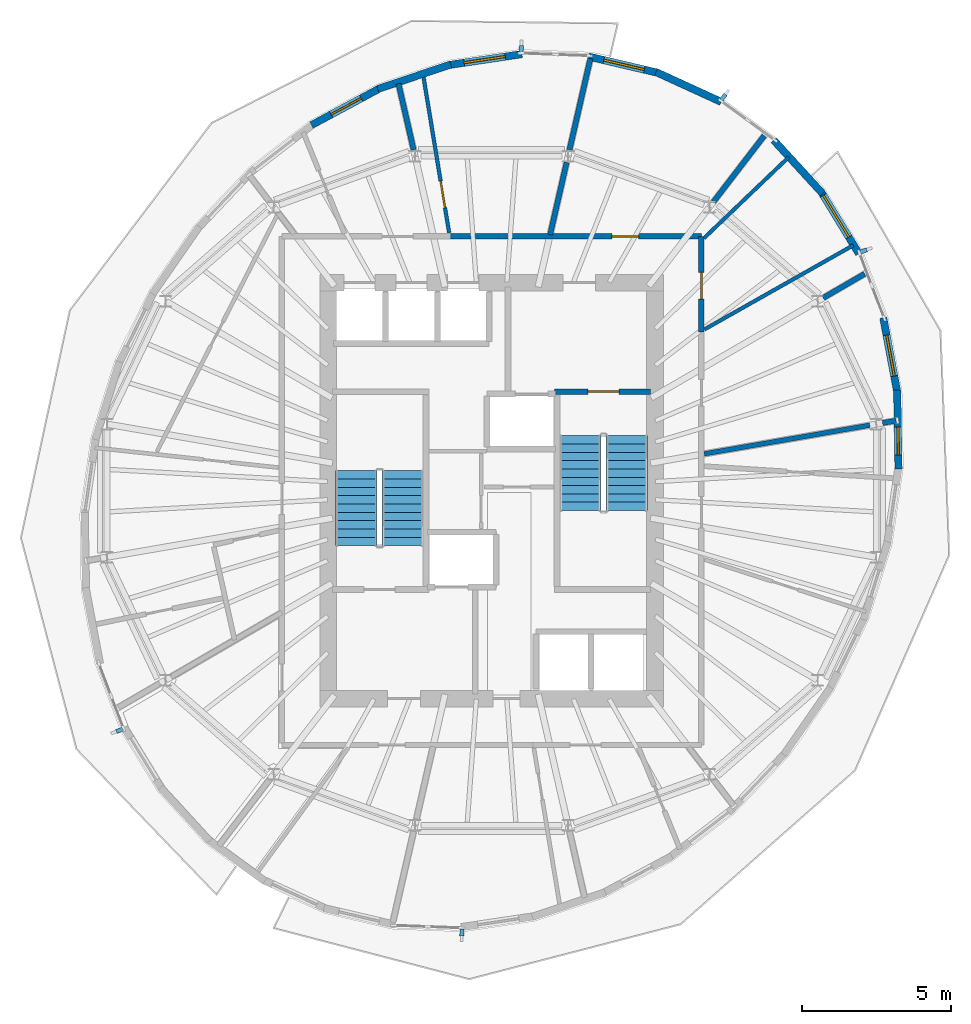
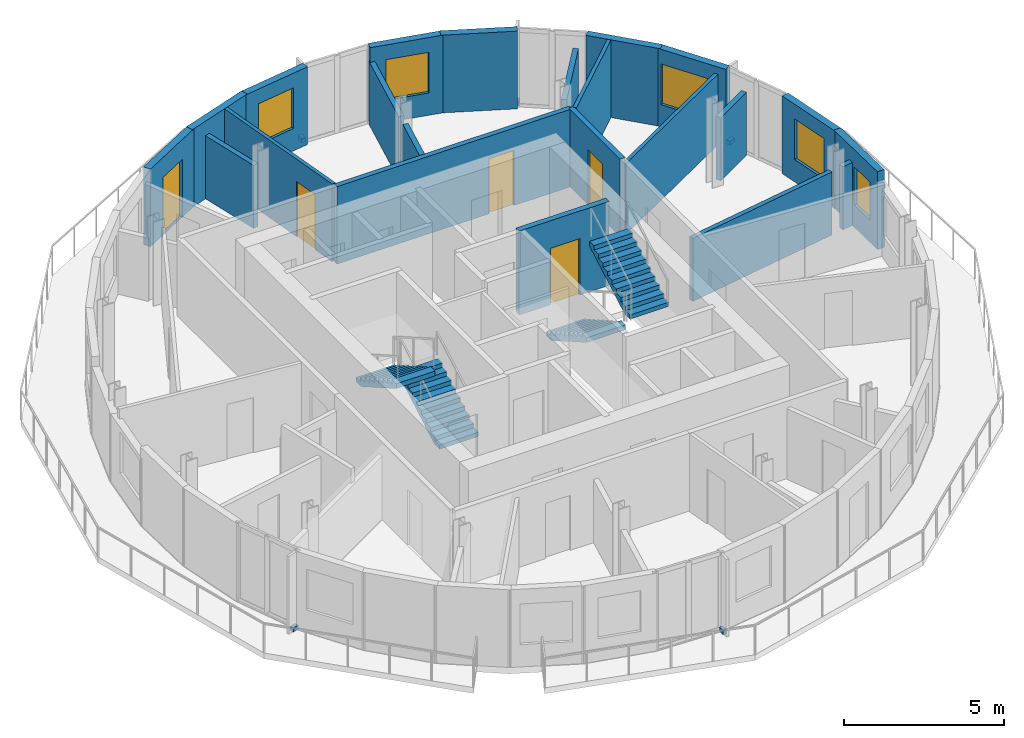
# One storey, part 7 of 11: 22 walls, 5 discrete accessories, 5 doors, 5 windows, 4 stair flights, 10 openings, 2 elements without a shape of their own.
"""IFC4 building model written with IfcOpenShell, lengths in metres."""

from ifc_helpers import new_model, si_unit, direction, frame, frame_2d, origin, origin_2d, place, context, subcontext, project, spatial, polyline, rectangle, outline, extrude, material, layer, layer_set, type_object, element, fill, aggregate, save


model = new_model("IFC4")

# Units and contexts
model_context = context("Model", 3, precision=1e-05, world=origin(), true_north=direction((0.0, 1.0)))
body_context = subcontext(model_context, "Body", "Model", "MODEL_VIEW")
ifc_project = project(units=[si_unit("LENGTHUNIT", "METRE"), si_unit("AREAUNIT", "SQUARE_METRE"), si_unit("VOLUMEUNIT", "CUBIC_METRE"), si_unit("PLANEANGLEUNIT", "RADIAN"), si_unit("MASSUNIT", "GRAM", prefix="KILO")], contexts=[model_context])

# Site, building, storey
site_placement = place(None, origin())
site = spatial("IfcSite", under=ifc_project, at=site_placement, CompositionType="ELEMENT")
building_placement = place(site_placement, origin())
building = spatial("IfcBuilding", under=site, at=building_placement, Name="Veldorim Arch Residences", CompositionType="ELEMENT")
storey_placement = place(building_placement, frame((0.0, 0.0, 236.639892578125)))
storey = spatial("IfcBuildingStorey", under=building, at=storey_placement, Name="L71", CompositionType="ELEMENT", Elevation=236.639892578125)

# Walls
ifc_material_1 = material(Name="Acoustic Gypsum Board", Category="gypsum")
ifc_layer_1 = layer(ifc_material_1, 0.125, Name="Acoustic Stud Room Partition Wall 125")
ifc_layer_set_1 = layer_set([ifc_layer_1], Name="Acoustic Gypsum Board")
wall_type_1 = type_object("IfcWallType", Name="Acoustic Stud Room Partition Wall 125", PredefinedType="PARTITIONING", material=ifc_layer_set_1)
wall_1_placement = place(storey_placement, frame((42.00244140625, 35.226318359375, 0.0), z_axis=(0.0, 0.0, 1.0), x_axis=(-0.722686135134, -0.691176352377, 0.0)))
element("IfcWall", 1, at=wall_1_placement, inside=storey, type_object=wall_type_1, Name="L71 interior wall WL-RES-L71-018", PredefinedType="PARTITIONING", context=body_context, shape_type="SweptSolid", body=[
    extrude(rectangle(XDim=3.951416015625, YDim=0.125, at=frame_2d((1.9755859375, 0.0))), origin(), (0.0, 0.0, 1.0), 2.955078125),
])
wall_2_placement = place(storey_placement, frame((44.17919921875, 32.260498046875, 0.0), z_axis=(0.0, 0.0, 1.0), x_axis=(-0.870609410892, -0.491974850644, 0.0)))
element("IfcWall", 2, at=wall_2_placement, inside=storey, type_object=wall_type_1, Name="L71 interior wall WL-RES-L71-020", PredefinedType="PARTITIONING", context=body_context, shape_type="SweptSolid", body=[
    extrude(rectangle(XDim=5.760009765625, YDim=0.125, at=frame_2d((2.8798828125, 0.0))), origin(), (0.0, 0.0, 1.0), 2.692138671875),
])

# Wall, opening, door
wall_3_placement = place(storey_placement, frame((29.693603515625, 38.01953125, 0.0), z_axis=(0.0, 0.0, 1.0), x_axis=(0.162328724732, -0.98673673547, 0.0)))
wall_3 = element("IfcWall", 3, at=wall_3_placement, inside=storey, type_object=wall_type_1, Name="L71 interior wall WL-RES-L71-022", PredefinedType="PARTITIONING", context=body_context, shape_type="SweptSolid", body=[
    extrude(rectangle(XDim=5.412841796875, YDim=0.125, at=frame_2d((2.70654296875, 0.0))), origin(), (0.0, 0.0, 1.0), 2.955078125),
])
opening_1_placement = place(wall_3_placement, frame((3.656494140625, 0.0, 0.0)))
opening_1 = element("IfcOpeningElement", 4, at=opening_1_placement, cuts=wall_3, Name="Opening DR-INT", PredefinedType="OPENING", context=body_context, shape_type="SweptSolid", body=[
    extrude(rectangle(XDim=0.89990234375, YDim=2.10009765625, at=frame_2d((0.449951171875, 1.050048828125))), frame((0.0, 0.072509765625, 0.0), z_axis=(0.0, -1.0, 0.0), x_axis=(1.0, 0.0, 0.0)), (0.0, 0.0, 1.0), 0.14501953125),
])
ifc_material_2 = material(Name="Engineered Timber", Category="wood")
door_type_1 = type_object("IfcDoorType", Name="Apartment Internal Room Timber Door 900x2100", OperationType="SINGLE_SWING_LEFT", PredefinedType="DOOR", material=ifc_material_2)
door_1_placement = place(opening_1_placement, origin())
door_1 = element("IfcDoor", 5, at=door_1_placement, inside=storey, type_object=door_type_1, Name="L71 interior door DR-RES-L71-014", OperationType="SINGLE_SWING_RIGHT", OverallHeight=2.10009765625, OverallWidth=0.89990234375, PredefinedType="DOOR", context=body_context, shape_type="SweptSolid", body=[
    extrude(rectangle(XDim=0.89990234375, YDim=2.10009765625, at=frame_2d((0.449951171875, 1.050048828125))), frame((0.0, 0.02490234375, 0.0), z_axis=(0.0, -1.0, 0.0), x_axis=(1.0, 0.0, 0.0)), (0.0, 0.0, 1.0), 0.050048828125),
])
fill(opening_1, door_1)

# Walls
ifc_material_3 = material(Name="Lightweight Masonry Block & Gypsum", Category="masonry")
ifc_layer_2 = layer(ifc_material_3, 0.179931640625, Name="Compartment & Corridor Fire-Rated Party Wall 180")
ifc_layer_set_2 = layer_set([ifc_layer_2], Name="Lightweight Masonry Block & Gypsum")
wall_type_2 = type_object("IfcWallType", Name="Compartment & Corridor Fire-Rated Party Wall 180", PredefinedType="PARTITIONING", material=ifc_layer_set_2)
wall_4_placement = place(storey_placement, frame((45.16259765625, 26.277099609375, 0.0), z_axis=(0.0, 0.0, 1.0), x_axis=(0.985450971837, 0.169959942652, 0.0)))
element("IfcWall", 6, at=wall_4_placement, inside=storey, type_object=wall_type_2, Name="L71 interior wall WL-PIER-L71-01", PredefinedType="PARTITIONING", context=body_context, shape_type="SweptSolid", body=[
    extrude(rectangle(XDim=0.462646484375, YDim=0.179931640625, at=frame_2d((0.2314453125, 0.0))), origin(), (0.0, 0.0, 1.0), 2.403564453125),
])
wall_5_placement = place(storey_placement, frame((43.165283203125, 30.48828125, 0.0), z_axis=(0.0, 0.0, 1.0), x_axis=(0.864591417654, 0.50247555216, 0.0)))
element("IfcWall", 7, at=wall_5_placement, inside=storey, type_object=wall_type_2, Name="L71 interior wall WL-PIER-L71-02", PredefinedType="PARTITIONING", context=body_context, shape_type="SweptSolid", body=[
    extrude(rectangle(XDim=1.610595703125, YDim=0.179931640625, at=frame_2d((0.80517578125, 0.0))), origin(), (0.0, 0.0, 1.0), 2.403564453125),
])
wall_6_placement = place(storey_placement, frame((39.46728515625, 33.719482421875, 0.0), z_axis=(0.0, 0.0, 1.0), x_axis=(0.609215330611, 0.793004842954, 0.0)))
element("IfcWall", 8, at=wall_6_placement, inside=storey, type_object=wall_type_2, Name="L71 interior wall WL-PIER-L71-03", PredefinedType="PARTITIONING", context=body_context, shape_type="SweptSolid", body=[
    extrude(rectangle(XDim=2.810791015625, YDim=0.179931640625, at=frame_2d((1.4052734375, 0.0))), origin(), (0.0, 0.0, 1.0), 2.403564453125),
])
wall_7_placement = place(storey_placement, frame((34.6240234375, 35.473388671875, 0.0), z_axis=(0.0, 0.0, 1.0), x_axis=(0.222991059039, 0.974820489931, 0.0)))
element("IfcWall", 9, at=wall_7_placement, inside=storey, type_object=wall_type_2, Name="L71 interior wall WL-PIER-L71-04", PredefinedType="PARTITIONING", context=body_context, shape_type="SweptSolid", body=[
    extrude(rectangle(XDim=3.14990234375, YDim=0.179931640625, at=frame_2d((1.574951171875, 0.0))), origin(), (0.0, 0.0, 1.0), 2.403564453125),
])
wall_8_placement = place(storey_placement, frame((29.3759765625, 35.473388671875, 0.0), z_axis=(0.0, 0.0, 1.0), x_axis=(-0.223007763243, 0.974816668679, 0.0)))
element("IfcWall", 10, at=wall_8_placement, inside=storey, type_object=wall_type_2, Name="L71 interior wall WL-PIER-L71-05", PredefinedType="PARTITIONING", context=body_context, shape_type="SweptSolid", body=[
    extrude(rectangle(XDim=2.282470703125, YDim=0.179931640625, at=frame_2d((1.14111328125, 0.0))), origin(), (0.0, 0.0, 1.0), 2.403564453125),
])

# Wall, opening, door
wall_9_placement = place(storey_placement, frame((30.571533203125, 32.56005859375, 0.0), z_axis=(0.0, 0.0, 1.0), x_axis=(1.0, 0.0, 0.0)))
wall_9 = element("IfcWall", 11, at=wall_9_placement, inside=storey, type_object=wall_type_2, Name="L71 interior wall WL-RES-L71-005", PredefinedType="PARTITIONING", context=body_context, shape_type="SweptSolid", body=[
    extrude(rectangle(XDim=8.488525390625, YDim=0.179931640625, at=frame_2d((4.244140625, 0.0))), origin(), (0.0, 0.0, 1.0), 2.955078125),
])
opening_2_placement = place(wall_9_placement, frame((5.477294921875, 0.0, 0.0)))
opening_2 = element("IfcOpeningElement", 12, at=opening_2_placement, cuts=wall_9, Name="Opening DR-SVC", PredefinedType="OPENING", context=body_context, shape_type="SweptSolid", body=[
    extrude(rectangle(XDim=0.89990234375, YDim=2.10009765625, at=frame_2d((0.449951171875, 1.050048828125))), frame((0.0, 0.099853515625, 0.0), z_axis=(0.0, -1.0, 0.0), x_axis=(1.0, 0.0, 0.0)), (0.0, 0.0, 1.0), 0.199951171875),
])
ifc_material_4 = material(Name="Fire-Rated Steel", Category="steel")
door_type_2 = type_object("IfcDoorType", Name="Riser, Shelter & Plant Room Rated Steel Door 900x2100", OperationType="SINGLE_SWING_LEFT", PredefinedType="DOOR", material=ifc_material_4)
door_2_placement = place(opening_2_placement, origin())
door_2 = element("IfcDoor", 13, at=door_2_placement, inside=storey, type_object=door_type_2, Name="L71 interior door DR-RES-L71-009", OperationType="SINGLE_SWING_LEFT", OverallHeight=2.10009765625, OverallWidth=0.89990234375, PredefinedType="DOOR", context=body_context, shape_type="SweptSolid", body=[
    extrude(rectangle(XDim=0.89990234375, YDim=2.10009765625, at=frame_2d((0.449951171875, 1.050048828125))), frame((0.0, 0.02490234375, 0.0), z_axis=(0.0, -1.0, 0.0), x_axis=(1.0, 0.0, 0.0)), (0.0, 0.0, 1.0), 0.050048828125),
])
fill(opening_2, door_2)

wall_10_placement = place(storey_placement, frame((39.06005859375, 32.56005859375, 0.0), z_axis=(0.0, 0.0, 1.0), x_axis=(0.0, -1.0, 0.0)))
wall_10 = element("IfcWall", 14, at=wall_10_placement, inside=storey, type_object=wall_type_2, Name="L71 interior wall WL-RES-L71-006", PredefinedType="PARTITIONING", context=body_context, shape_type="SweptSolid", body=[
    extrude(rectangle(XDim=3.21240234375, YDim=0.179931640625, at=frame_2d((1.606201171875, 0.0))), origin(), (0.0, 0.0, 1.0), 2.955078125),
])
opening_3_placement = place(wall_10_placement, frame((1.21630859375, 0.0, 0.0)))
opening_3 = element("IfcOpeningElement", 15, at=opening_3_placement, cuts=wall_10, Name="Opening DR-INT", PredefinedType="OPENING", context=body_context, shape_type="SweptSolid", body=[
    extrude(rectangle(XDim=0.89990234375, YDim=2.10009765625, at=frame_2d((0.449951171875, 1.050048828125))), frame((0.0, 0.099853515625, 0.0), z_axis=(0.0, -1.0, 0.0), x_axis=(1.0, 0.0, 0.0)), (0.0, 0.0, 1.0), 0.199951171875),
])
door_3_placement = place(opening_3_placement, origin())
door_3 = element("IfcDoor", 16, at=door_3_placement, inside=storey, type_object=door_type_1, Name="L71 interior door DR-RES-L71-010", OperationType="SINGLE_SWING_RIGHT", OverallHeight=2.10009765625, OverallWidth=0.89990234375, PredefinedType="DOOR", context=body_context, shape_type="SweptSolid", body=[
    extrude(rectangle(XDim=0.89990234375, YDim=2.10009765625, at=frame_2d((0.449951171875, 1.050048828125))), frame((0.0, 0.02490234375, 0.0), z_axis=(0.0, -1.0, 0.0), x_axis=(1.0, 0.0, 0.0)), (0.0, 0.0, 1.0), 0.050048828125),
])
fill(opening_3, door_3)

# Wall
wall_11_placement = place(storey_placement, frame((33.97119140625, 32.618408203125, 0.0), z_axis=(0.0, 0.0, 1.0), x_axis=(0.222978952174, 0.974823259308, 0.0)))
element("IfcWall", 17, at=wall_11_placement, inside=storey, type_object=wall_type_2, Name="L71 interior wall WL-RES-L71-019", PredefinedType="PARTITIONING", context=body_context, shape_type="SweptSolid", body=[
    extrude(rectangle(XDim=2.494140625, YDim=0.179931640625, at=frame_2d((1.2470703125, 0.0))), origin(), (0.0, 0.0, 1.0), 2.403564453125),
])

# Wall, opening, door
ifc_material_5 = material(Name="Concrete C50/60", Category="concrete")
ifc_layer_3 = layer(ifc_material_5, 0.199951171875, Name="Core Stair & Lift Shaft Enclosure Wall 200")
ifc_layer_set_3 = layer_set([ifc_layer_3], Name="Concrete C50/60")
wall_type_3 = type_object("IfcWallType", Name="Core Stair & Lift Shaft Enclosure Wall 200", PredefinedType="SHEAR", material=ifc_layer_set_3)
wall_12_placement = place(storey_placement, frame((34.110107421875, 27.330078125, 0.0), z_axis=(0.0, 0.0, 1.0), x_axis=(1.0, 0.0, 0.0)))
wall_12 = element("IfcWall", 18, at=wall_12_placement, inside=storey, type_object=wall_type_3, Name="L71 shaft wall WL-SHF-L71-ST2-N", PredefinedType="SHEAR", context=body_context, shape_type="SweptSolid", body=[
    extrude(rectangle(XDim=3.239990234375, YDim=0.199951171875, at=frame_2d((1.6201171875, 0.0))), origin(), (0.0, 0.0, 1.0), 3.2001953125),
])
opening_4_placement = place(wall_12_placement, frame((1.135009765625, 0.0, 0.0)))
opening_4 = element("IfcOpeningElement", 19, at=opening_4_placement, cuts=wall_12, Name="Opening DR-ST", PredefinedType="OPENING", context=body_context, shape_type="SweptSolid", body=[
    extrude(rectangle(XDim=1.050048828125, YDim=2.14990234375, at=frame_2d((0.52490234375, 1.074951171875))), frame((0.0, 0.10986328125, 0.0), z_axis=(0.0, -1.0, 0.0), x_axis=(1.0, 0.0, 0.0)), (0.0, 0.0, 1.0), 0.219970703125),
])
ifc_material_6 = material(Name="Fire-Rated Steel", Category="steel")
door_type_3 = type_object("IfcDoorType", Name="Exit Staircase Self-Closing Fire Door 1050x2150", OperationType="SINGLE_SWING_LEFT", PredefinedType="DOOR", material=ifc_material_6)
door_4_placement = place(opening_4_placement, origin())
door_4 = element("IfcDoor", 20, at=door_4_placement, inside=storey, type_object=door_type_3, Name="L71 interior door DR-L71-ST2", OperationType="SINGLE_SWING_RIGHT", OverallHeight=2.14990234375, OverallWidth=1.050048828125, PredefinedType="DOOR", context=body_context, shape_type="SweptSolid", body=[
    extrude(rectangle(XDim=1.050048828125, YDim=2.14990234375, at=frame_2d((0.52490234375, 1.074951171875))), frame((0.0, 0.02490234375, 0.0), z_axis=(0.0, -1.0, 0.0), x_axis=(1.0, 0.0, 0.0)), (0.0, 0.0, 1.0), 0.050048828125),
])
fill(opening_4, door_4)

# Wall
ifc_material_7 = material(Name="Precast concrete C40/50", Category="concrete")
ifc_layer_4 = layer(ifc_material_7, 0.25, Name="Tower Terracotta Spandrel & Pier Wall 250")
ifc_layer_set_4 = layer_set([ifc_layer_4], Name="Precast concrete C40/50")
wall_type_4 = type_object("IfcWallType", Name="Tower Terracotta Spandrel & Pier Wall 250", PredefinedType="SOLIDWALL", material=ifc_layer_set_4)
wall_13_placement = place(storey_placement, frame((37.536865234375, 38.092529296875, 0.0), z_axis=(0.0, 0.0, 1.0), x_axis=(0.909098330543, -0.416581595133, 0.0)))
element("IfcWall", 21, at=wall_13_placement, inside=storey, type_object=wall_type_4, Name="L71 terracotta facade wall 01", PredefinedType="SOLIDWALL", context=body_context, shape_type="SweptSolid", body=[
    extrude(rectangle(XDim=2.41455078125, YDim=0.25, at=frame_2d((1.207275390625, 0.0))), origin(), (0.0, 0.0, 1.0), 2.960205078125),
])

# Wall, opening, window
wall_14_placement = place(storey_placement, frame((35.27294921875, 38.613037109375, 0.0), z_axis=(0.0, 0.0, 1.0), x_axis=(0.973464451287, -0.228838288055, 0.0)))
wall_14 = element("IfcWall", 22, at=wall_14_placement, inside=storey, type_object=wall_type_4, Name="L71 terracotta facade wall 02", PredefinedType="SOLIDWALL", context=body_context, shape_type="SweptSolid", body=[
    extrude(rectangle(XDim=2.436767578125, YDim=0.25, at=frame_2d((1.21826171875, 0.0))), origin(), (0.0, 0.0, 1.0), 2.960205078125),
])
opening_5_placement = place(wall_14_placement, frame((0.51806640625, 0.0, 0.85009765625)))
opening_5 = element("IfcOpeningElement", 23, at=opening_5_placement, cuts=wall_14, Name="Opening WN-02", PredefinedType="OPENING", context=body_context, shape_type="SweptSolid", body=[
    extrude(rectangle(XDim=1.39990234375, YDim=1.550048828125, at=frame_2d((0.699951171875, 0.77490234375))), frame((0.0, 0.135009765625, 0.0), z_axis=(0.0, -1.0, 0.0), x_axis=(1.0, 0.0, 0.0)), (0.0, 0.0, 1.0), 0.27001953125),
])
ifc_material_8 = material(Name="Laminated Low-E Glass", Category="glass")
window_type_1 = type_object("IfcWindowType", Name="Residential Casement Window 1400x1550", PartitioningType="SINGLE_PANEL", PredefinedType="WINDOW", material=ifc_material_8)
window_1_placement = place(opening_5_placement, origin())
window_1 = element("IfcWindow", 24, at=window_1_placement, inside=storey, type_object=window_type_1, Name="L71 solar-control facade window 02", OverallHeight=1.550048828125, OverallWidth=1.39990234375, PartitioningType="SINGLE_PANEL", PredefinedType="WINDOW", context=body_context, shape_type="SweptSolid", body=[
    extrude(rectangle(XDim=1.39990234375, YDim=1.550048828125, at=frame_2d((0.699951171875, 0.77490234375))), frame((0.0, 0.030029296875, 0.0), z_axis=(0.0, -1.0, 0.0), x_axis=(1.0, 0.0, 0.0)), (0.0, 0.0, 1.0), 0.06005859375),
])
fill(opening_5, window_1)

wall_15_placement = place(storey_placement, frame((30.517578125, 38.323486328125, 0.0), z_axis=(0.0, 0.0, 1.0), x_axis=(0.989047098021, 0.147600263873, 0.0)))
wall_15 = element("IfcWall", 25, at=wall_15_placement, inside=storey, type_object=wall_type_4, Name="L71 terracotta facade wall 04", PredefinedType="SOLIDWALL", context=body_context, shape_type="SweptSolid", body=[
    extrude(rectangle(XDim=2.532470703125, YDim=0.25, at=frame_2d((1.26611328125, 0.0))), origin(), (0.0, 0.0, 1.0), 2.960205078125),
])
opening_6_placement = place(wall_15_placement, frame((0.56591796875, 0.0, 0.85009765625)))
opening_6 = element("IfcOpeningElement", 26, at=opening_6_placement, cuts=wall_15, Name="Opening WN-02", PredefinedType="OPENING", context=body_context, shape_type="SweptSolid", body=[
    extrude(rectangle(XDim=1.39990234375, YDim=1.550048828125, at=frame_2d((0.699951171875, 0.77490234375))), frame((0.0, 0.135009765625, 0.0), z_axis=(0.0, -1.0, 0.0), x_axis=(1.0, 0.0, 0.0)), (0.0, 0.0, 1.0), 0.27001953125),
])
window_2_placement = place(opening_6_placement, origin())
window_2 = element("IfcWindow", 27, at=window_2_placement, inside=storey, type_object=window_type_1, Name="L71 solar-control facade window 04", OverallHeight=1.550048828125, OverallWidth=1.39990234375, PartitioningType="SINGLE_PANEL", PredefinedType="WINDOW", context=body_context, shape_type="SweptSolid", body=[
    extrude(rectangle(XDim=1.39990234375, YDim=1.550048828125, at=frame_2d((0.699951171875, 0.77490234375))), frame((0.0, 0.030029296875, 0.0), z_axis=(0.0, -1.0, 0.0), x_axis=(1.0, 0.0, 0.0)), (0.0, 0.0, 1.0), 0.06005859375),
])
fill(opening_6, window_2)

# Wall
wall_16_placement = place(storey_placement, frame((28.170166015625, 37.521484375, 0.0), z_axis=(0.0, 0.0, 1.0), x_axis=(0.947566090698, 0.319559859431, 0.0)))
element("IfcWall", 28, at=wall_16_placement, inside=storey, type_object=wall_type_4, Name="L71 terracotta facade wall 05", PredefinedType="SOLIDWALL", context=body_context, shape_type="SweptSolid", body=[
    extrude(rectangle(XDim=2.59228515625, YDim=0.25, at=frame_2d((1.296142578125, 0.0))), origin(), (0.0, 0.0, 1.0), 2.960205078125),
])

# Wall, opening, door
wall_17_placement = place(storey_placement, frame((25.937744140625, 36.30859375, 0.0), z_axis=(0.0, 0.0, 1.0), x_axis=(0.880420823352, 0.47419318195, 0.0)))
wall_17 = element("IfcWall", 29, at=wall_17_placement, inside=storey, type_object=wall_type_4, Name="L71 terracotta facade wall 06", PredefinedType="SOLIDWALL", context=body_context, shape_type="SweptSolid", body=[
    extrude(rectangle(XDim=2.65087890625, YDim=0.25, at=frame_2d((1.325439453125, 0.0))), origin(), (0.0, 0.0, 1.0), 2.960205078125),
])
opening_7_placement = place(wall_17_placement, frame((0.7509765625, 0.0, 0.0)))
opening_7 = element("IfcOpeningElement", 30, at=opening_7_placement, cuts=wall_17, Name="Opening BL-DR", PredefinedType="OPENING", context=body_context, shape_type="SweptSolid", body=[
    extrude(rectangle(XDim=1.14990234375, YDim=2.199951171875, at=frame_2d((0.574951171875, 1.10009765625))), frame((0.0, 0.135009765625, 0.0), z_axis=(0.0, -1.0, 0.0), x_axis=(1.0, 0.0, 0.0)), (0.0, 0.0, 1.0), 0.27001953125),
])
ifc_material_9 = material(Name="Aluminium & Low-E Glass", Category="aluminium")
door_type_4 = type_object("IfcDoorType", Name="Glazed Planted Balcony Door 1150x2200", OperationType="SINGLE_SWING_LEFT", PredefinedType="DOOR", material=ifc_material_9)
door_5_placement = place(opening_7_placement, origin())
door_5 = element("IfcDoor", 31, at=door_5_placement, inside=storey, type_object=door_type_4, Name="L71 glazed outdoor terrace door BALC-1", OperationType="SINGLE_SWING_RIGHT", OverallHeight=2.199951171875, OverallWidth=1.14990234375, PredefinedType="DOOR", context=body_context, shape_type="SweptSolid", body=[
    extrude(rectangle(XDim=1.14990234375, YDim=2.199951171875, at=frame_2d((0.574951171875, 1.10009765625))), frame((0.0, 0.02490234375, 0.0), z_axis=(0.0, -1.0, 0.0), x_axis=(1.0, 0.0, 0.0)), (0.0, 0.0, 1.0), 0.050048828125),
])
fill(opening_7, door_5)

# Wall, opening, window
wall_18_placement = place(storey_placement, frame((45.656005859375, 27.3828125, 0.0), z_axis=(0.0, 0.0, 1.0), x_axis=(0.016945158089, -0.999856420501, 0.0)))
wall_18 = element("IfcWall", 32, at=wall_18_placement, inside=storey, type_object=wall_type_4, Name="L71 terracotta facade wall 31", PredefinedType="SOLIDWALL", context=body_context, shape_type="SweptSolid", body=[
    extrude(rectangle(XDim=2.651123046875, YDim=0.25, at=frame_2d((1.32568359375, 0.0))), origin(), (0.0, 0.0, 1.0), 2.960205078125),
])
opening_8_placement = place(wall_18_placement, frame((1.236083984375, 0.0, 0.85009765625)))
opening_8 = element("IfcOpeningElement", 33, at=opening_8_placement, cuts=wall_18, Name="Opening WN-05", PredefinedType="OPENING", context=body_context, shape_type="SweptSolid", body=[
    extrude(rectangle(XDim=0.949951171875, YDim=1.449951171875, at=frame_2d((0.47509765625, 0.72509765625))), frame((0.0, 0.135009765625, 0.0), z_axis=(0.0, -1.0, 0.0), x_axis=(1.0, 0.0, 0.0)), (0.0, 0.0, 1.0), 0.27001953125),
])
ifc_material_10 = material(Name="Laminated Low-E Glass", Category="glass")
window_type_2 = type_object("IfcWindowType", Name="Residential Compact Casement Window 950x1450", PartitioningType="SINGLE_PANEL", PredefinedType="WINDOW", material=ifc_material_10)
window_3_placement = place(opening_8_placement, origin())
window_3 = element("IfcWindow", 34, at=window_3_placement, inside=storey, type_object=window_type_2, Name="L71 solar-control facade window 31", OverallHeight=1.449951171875, OverallWidth=0.949951171875, PartitioningType="SINGLE_PANEL", PredefinedType="WINDOW", context=body_context, shape_type="SweptSolid", body=[
    extrude(rectangle(XDim=0.949951171875, YDim=1.449951171875, at=frame_2d((0.47509765625, 0.72509765625))), frame((0.0, 0.030029296875, 0.0), z_axis=(0.0, -1.0, 0.0), x_axis=(1.0, 0.0, 0.0)), (0.0, 0.0, 1.0), 0.06005859375),
])
fill(opening_8, window_3)

wall_19_placement = place(storey_placement, frame((45.188232421875, 29.820068359375, 0.0), z_axis=(0.0, 0.0, 1.0), x_axis=(0.184783228791, -0.982779302976, 0.0)))
wall_19 = element("IfcWall", 35, at=wall_19_placement, inside=storey, type_object=wall_type_4, Name="L71 terracotta facade wall 32", PredefinedType="SOLIDWALL", context=body_context, shape_type="SweptSolid", body=[
    extrude(rectangle(XDim=2.59228515625, YDim=0.25, at=frame_2d((1.296142578125, 0.0))), origin(), (0.0, 0.0, 1.0), 2.960205078125),
])
opening_9_placement = place(wall_19_placement, frame((0.595947265625, 0.0, 0.85009765625)))
opening_9 = element("IfcOpeningElement", 36, at=opening_9_placement, cuts=wall_19, Name="Opening WN-02", PredefinedType="OPENING", context=body_context, shape_type="SweptSolid", body=[
    extrude(rectangle(XDim=1.39990234375, YDim=1.550048828125, at=frame_2d((0.699951171875, 0.77490234375))), frame((0.0, 0.135009765625, 0.0), z_axis=(0.0, -1.0, 0.0), x_axis=(1.0, 0.0, 0.0)), (0.0, 0.0, 1.0), 0.27001953125),
])
window_4_placement = place(opening_9_placement, origin())
window_4 = element("IfcWindow", 37, at=window_4_placement, inside=storey, type_object=window_type_1, Name="L71 solar-control facade window 32", OverallHeight=1.550048828125, OverallWidth=1.39990234375, PartitioningType="SINGLE_PANEL", PredefinedType="WINDOW", context=body_context, shape_type="SweptSolid", body=[
    extrude(rectangle(XDim=1.39990234375, YDim=1.550048828125, at=frame_2d((0.699951171875, 0.77490234375))), frame((0.0, 0.030029296875, 0.0), z_axis=(0.0, -1.0, 0.0), x_axis=(1.0, 0.0, 0.0)), (0.0, 0.0, 1.0), 0.06005859375),
])
fill(opening_9, window_4)

wall_20_placement = place(storey_placement, frame((43.0771484375, 34.092529296875, 0.0), z_axis=(0.0, 0.0, 1.0), x_axis=(0.52150580366, -0.853247734687, 0.0)))
wall_20 = element("IfcWall", 38, at=wall_20_placement, inside=storey, type_object=wall_type_4, Name="L71 terracotta facade wall 34", PredefinedType="SOLIDWALL", context=body_context, shape_type="SweptSolid", body=[
    extrude(rectangle(XDim=2.477783203125, YDim=0.25, at=frame_2d((1.23876953125, 0.0))), origin(), (0.0, 0.0, 1.0), 2.960205078125),
])
opening_10_placement = place(wall_20_placement, frame((0.175048828125, 0.0, 0.85009765625)))
opening_10 = element("IfcOpeningElement", 39, at=opening_10_placement, cuts=wall_20, Name="Opening WN-03", PredefinedType="OPENING", context=body_context, shape_type="SweptSolid", body=[
    extrude(rectangle(XDim=1.64990234375, YDim=1.550048828125, at=frame_2d((0.824951171875, 0.77490234375))), frame((0.0, 0.135009765625, 0.0), z_axis=(0.0, -1.0, 0.0), x_axis=(1.0, 0.0, 0.0)), (0.0, 0.0, 1.0), 0.27001953125),
])
ifc_material_11 = material(Name="Laminated Low-E Glass", Category="glass")
window_type_3 = type_object("IfcWindowType", Name="Residential Wide Window 1650x1550", PartitioningType="SINGLE_PANEL", PredefinedType="WINDOW", material=ifc_material_11)
window_5_placement = place(opening_10_placement, origin())
window_5 = element("IfcWindow", 40, at=window_5_placement, inside=storey, type_object=window_type_3, Name="L71 solar-control facade window 34", OverallHeight=1.550048828125, OverallWidth=1.64990234375, PartitioningType="SINGLE_PANEL", PredefinedType="WINDOW", context=body_context, shape_type="SweptSolid", body=[
    extrude(rectangle(XDim=1.64990234375, YDim=1.550048828125, at=frame_2d((0.824951171875, 0.77490234375))), frame((0.0, 0.030029296875, 0.0), z_axis=(0.0, -1.0, 0.0), x_axis=(1.0, 0.0, 0.0)), (0.0, 0.0, 1.0), 0.06005859375),
])
fill(opening_10, window_5)

# Walls
wall_21_placement = place(storey_placement, frame((41.498779296875, 35.7978515625, 0.0), z_axis=(0.0, 0.0, 1.0), x_axis=(0.675783606308, -0.737100072884, 0.0)))
element("IfcWall", 41, at=wall_21_placement, inside=storey, type_object=wall_type_4, Name="L71 terracotta facade wall 35", PredefinedType="SOLIDWALL", context=body_context, shape_type="SweptSolid", body=[
    extrude(rectangle(XDim=2.436767578125, YDim=0.25, at=frame_2d((1.21826171875, 0.0))), origin(), (0.0, 0.0, 1.0), 2.960205078125),
])
ifc_material_12 = material(Name="Moisture-Resistant Gypsum & Stud", Category="gypsum")
ifc_layer_5 = layer(ifc_material_12, 0.159912109375, Name="Wet-Area Moisture-Resistant Plumbing Wall 160")
ifc_layer_set_5 = layer_set([ifc_layer_5], Name="Moisture-Resistant Gypsum & Stud")
wall_type_5 = type_object("IfcWallType", Name="Wet-Area Moisture-Resistant Plumbing Wall 160", PredefinedType="PLUMBINGWALL", material=ifc_layer_set_5)
wall_22_placement = place(storey_placement, frame((39.158447265625, 25.23828125, 0.0), z_axis=(0.0, 0.0, 1.0), x_axis=(0.985360267717, 0.170485022229, 0.0)))
element("IfcWall", 42, at=wall_22_placement, inside=storey, type_object=wall_type_5, Name="L71 interior wall WL-RES-L71-017", PredefinedType="PLUMBINGWALL", context=body_context, shape_type="SweptSolid", body=[
    extrude(rectangle(XDim=5.656494140625, YDim=0.159912109375, at=frame_2d((2.828125, 0.0))), origin(), (0.0, 0.0, 1.0), 2.403564453125),
])

# Stair, stair flights
ifc_material_13 = material(Name="Concrete C40/50", Category="concrete")
stair_type = type_object("IfcStairType", Name="Reinforced Concrete Dogleg Exit Staircase", PredefinedType="HALF_TURN_STAIR", material=ifc_material_13)
stair_1_placement = place(storey_placement, origin())
stair_1 = element("IfcStair", 43, at=stair_1_placement, inside=storey, type_object=stair_type, Name="L71 Exit Staircase ST-1", PredefinedType="HALF_TURN_STAIR")
ifc_material_14 = material(Name="Concrete C40/50", Category="concrete")
stair_flight_type = type_object("IfcStairFlightType", Name="Reinforced Concrete Stair Flight 1400", PredefinedType="STRAIGHT", material=ifc_material_14)
stair_flight_1_placement = place(storey_placement, frame((29.010009765625, 22.14990234375, 0.0), z_axis=(0.0, 0.0, 1.0), x_axis=(0.0, 1.0, 0.0)))
stair_flight_1 = element("IfcStairFlight", 44, at=stair_flight_1_placement, type_object=stair_flight_type, Name="ST-1 flight 1", NumberOfRisers=10, NumberOfTreads=9, PredefinedType="STRAIGHT", RiserHeight=0.16, TreadLength=0.28, context=body_context, shape_type="SweptSolid", body=[
    extrude(outline(polyline([(0.0, 0.0), (0.0, 0.159912109375), (0.280029296875, 0.159912109375), (0.280029296875, 0.320068359375), (0.56005859375, 0.320068359375), (0.56005859375, 0.47998046875), (0.840087890625, 0.47998046875), (0.840087890625, 0.639892578125), (1.1201171875, 0.639892578125), (1.1201171875, 0.800048828125), (1.39990234375, 0.800048828125), (1.39990234375, 0.9599609375), (1.679931640625, 0.9599609375), (1.679931640625, 1.1201171875), (1.9599609375, 1.1201171875), (1.9599609375, 1.280029296875), (2.239990234375, 1.280029296875), (2.239990234375, 1.43994140625), (2.52001953125, 1.43994140625), (2.52001953125, 1.60009765625), (2.52001953125, 1.255859375), (0.322265625, 0.0), (0.0, 0.0)])), frame((0.0, 0.699951171875, 0.0), z_axis=(0.0, -1.0, 0.0), x_axis=(1.0, 0.0, 0.0)), (0.0, 0.0, 1.0), 1.39990234375),
])
stair_flight_2_placement = place(storey_placement, frame((27.449951171875, 24.669921875, 1.60009765625), z_axis=(0.0, 0.0, 1.0), x_axis=(0.0, -1.0, 0.0)))
stair_flight_2 = element("IfcStairFlight", 45, at=stair_flight_2_placement, type_object=stair_flight_type, Name="ST-1 flight 2", NumberOfRisers=10, NumberOfTreads=9, PredefinedType="STRAIGHT", RiserHeight=0.16, TreadLength=0.28, context=body_context, shape_type="SweptSolid", body=[
    extrude(outline(polyline([(0.0, 0.0), (0.0, 0.159912109375), (0.280029296875, 0.159912109375), (0.280029296875, 0.320068359375), (0.56005859375, 0.320068359375), (0.56005859375, 0.47998046875), (0.840087890625, 0.47998046875), (0.840087890625, 0.639892578125), (1.1201171875, 0.639892578125), (1.1201171875, 0.800048828125), (1.39990234375, 0.800048828125), (1.39990234375, 0.9599609375), (1.679931640625, 0.9599609375), (1.679931640625, 1.1201171875), (1.9599609375, 1.1201171875), (1.9599609375, 1.280029296875), (2.239990234375, 1.280029296875), (2.239990234375, 1.43994140625), (2.52001953125, 1.43994140625), (2.52001953125, 1.60009765625), (2.52001953125, 1.255859375), (0.322265625, 0.0), (0.0, 0.0)])), frame((0.0, 0.699951171875, 0.0), z_axis=(0.0, -1.0, 0.0), x_axis=(1.0, 0.0, 0.0)), (0.0, 0.0, 1.0), 1.39990234375),
])
aggregate(stair_1, [stair_flight_1, stair_flight_2])

stair_2_placement = place(storey_placement, origin())
stair_2 = element("IfcStair", 46, at=stair_2_placement, inside=storey, type_object=stair_type, Name="L71 Exit Staircase ST-2", PredefinedType="HALF_TURN_STAIR")
stair_flight_3_placement = place(storey_placement, frame((34.989990234375, 25.85009765625, 0.0), z_axis=(0.0, 0.0, 1.0), x_axis=(0.0, -1.0, 0.0)))
stair_flight_3 = element("IfcStairFlight", 47, at=stair_flight_3_placement, type_object=stair_flight_type, Name="ST-2 flight 1", NumberOfRisers=10, NumberOfTreads=9, PredefinedType="STRAIGHT", RiserHeight=0.16, TreadLength=0.28, context=body_context, shape_type="SweptSolid", body=[
    extrude(outline(polyline([(0.0, 0.0), (0.0, 0.159912109375), (0.280029296875, 0.159912109375), (0.280029296875, 0.320068359375), (0.56005859375, 0.320068359375), (0.56005859375, 0.47998046875), (0.840087890625, 0.47998046875), (0.840087890625, 0.639892578125), (1.1201171875, 0.639892578125), (1.1201171875, 0.800048828125), (1.39990234375, 0.800048828125), (1.39990234375, 0.9599609375), (1.679931640625, 0.9599609375), (1.679931640625, 1.1201171875), (1.9599609375, 1.1201171875), (1.9599609375, 1.280029296875), (2.239990234375, 1.280029296875), (2.239990234375, 1.43994140625), (2.52001953125, 1.43994140625), (2.52001953125, 1.60009765625), (2.52001953125, 1.255859375), (0.322265625, 0.0), (0.0, 0.0)])), frame((0.0, 0.699951171875, 0.0), z_axis=(0.0, -1.0, 0.0), x_axis=(1.0, 0.0, 0.0)), (0.0, 0.0, 1.0), 1.39990234375),
])
stair_flight_4_placement = place(storey_placement, frame((36.550048828125, 23.330078125, 1.60009765625), z_axis=(0.0, 0.0, 1.0), x_axis=(0.0, 1.0, 0.0)))
stair_flight_4 = element("IfcStairFlight", 48, at=stair_flight_4_placement, type_object=stair_flight_type, Name="ST-2 flight 2", NumberOfRisers=10, NumberOfTreads=9, PredefinedType="STRAIGHT", RiserHeight=0.16, TreadLength=0.28, context=body_context, shape_type="SweptSolid", body=[
    extrude(outline(polyline([(0.0, 0.0), (0.0, 0.159912109375), (0.280029296875, 0.159912109375), (0.280029296875, 0.320068359375), (0.56005859375, 0.320068359375), (0.56005859375, 0.47998046875), (0.840087890625, 0.47998046875), (0.840087890625, 0.639892578125), (1.1201171875, 0.639892578125), (1.1201171875, 0.800048828125), (1.39990234375, 0.800048828125), (1.39990234375, 0.9599609375), (1.679931640625, 0.9599609375), (1.679931640625, 1.1201171875), (1.9599609375, 1.1201171875), (1.9599609375, 1.280029296875), (2.239990234375, 1.280029296875), (2.239990234375, 1.43994140625), (2.52001953125, 1.43994140625), (2.52001953125, 1.60009765625), (2.52001953125, 1.255859375), (0.322265625, 0.0), (0.0, 0.0)])), frame((0.0, 0.699951171875, 0.0), z_axis=(0.0, -1.0, 0.0), x_axis=(1.0, 0.0, 0.0)), (0.0, 0.0, 1.0), 1.39990234375),
])
aggregate(stair_2, [stair_flight_3, stair_flight_4])

# Discrete accessories
ifc_material_15 = material(Name="Stainless Steel", Category="steel")
discrete_accessory_type = type_object("IfcDiscreteAccessoryType", Name="Stainless Steel Facade Fin Anchor Bracket", PredefinedType="BRACKET", material=ifc_material_15)
for number, where, z_axis, x_axis, name in (
    (49, (32.998779296875, 38.870361328125, -0.02001953125), (0.0, 0.0, 1.0), (0.999289472641, -0.03769018267, 0.0), "L71 stainless fin anchor bracket 03"),
    (50, (19.48046875, 15.932861328125, -0.02001953125), (0.0, 0.0, 1.0), (-0.354943799141, 0.934887640014, 0.0), "L71 stainless fin anchor bracket 15"),
    (51, (31.001220703125, 9.129638671875, -0.02001953125), (0.0, 0.0, 1.0), (-0.999289472641, 0.03769018267, 0.0), "L71 stainless fin anchor bracket 21"),
    (52, (44.51953125, 32.067138671875, -0.02001953125), (0.0, 0.0, 1.0), (0.354943799141, -0.934887640014, 0.0), "L71 stainless fin anchor bracket 33"),
    (53, (39.807373046875, 37.243408203125, -0.02001953125), (0.0, 0.0, 1.0), (0.807887037428, -0.589337369217, 0.0), "L71 stainless fin anchor bracket 36"),
):
    element("IfcDiscreteAccessory", number, at=place(storey_placement, frame(where, z_axis=z_axis, x_axis=x_axis)), inside=storey, type_object=discrete_accessory_type, Name=name, PredefinedType="BRACKET", context=body_context, shape_type="SweptSolid", body=[
        extrude(rectangle(XDim=0.139892578125, YDim=0.239990234375, at=origin_2d()), origin(), (0.0, 0.0, 1.0), 0.159912109375),
    ])

save(model, "model.ifc")
